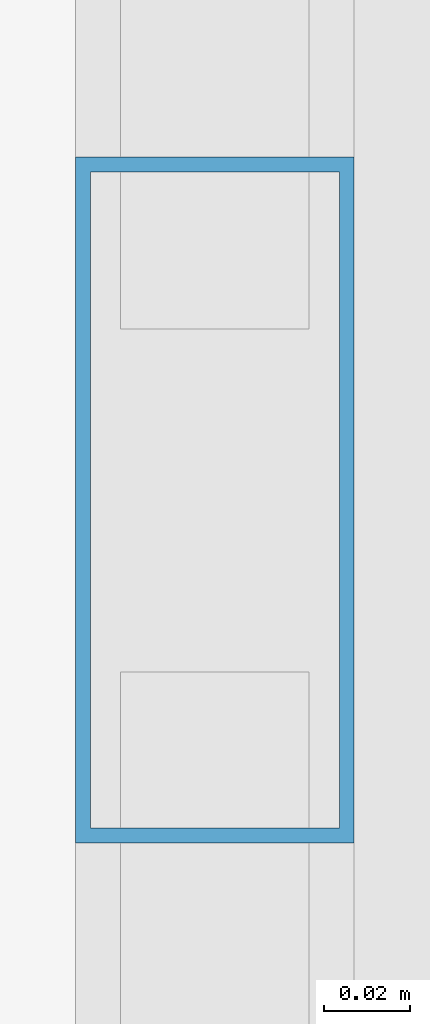
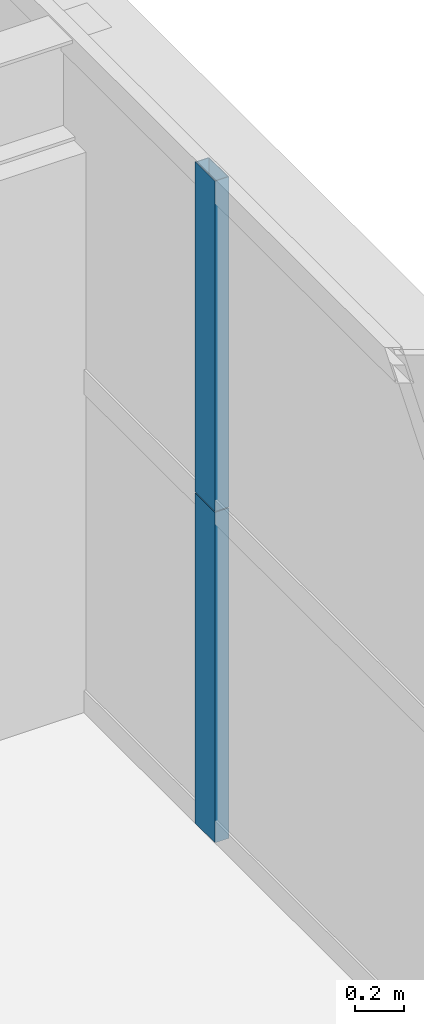
# One storey, part 18 of 38: 2 members, 1 element without a shape of its own.
"""IFC4 building model written with IfcOpenShell, lengths in metres."""

from ifc_helpers import new_model, si_unit, direction, frame, origin, origin_2d, place, context, subcontext, project, spatial, hollow_rectangle, extrude, source, transform, mapped, material, layer, layer_set, material_profile, profile_set, type_object, element, aggregate, save


model = new_model("IFC4")

# Units and contexts
model_context = context("Model", 3, precision=1e-05, world=origin(), true_north=direction((0.0, 1.0)))
body_context = subcontext(model_context, "Body", "Model", "MODEL_VIEW")
ifc_project = project(units=[si_unit("LENGTHUNIT", "METRE"), si_unit("AREAUNIT", "SQUARE_METRE"), si_unit("VOLUMEUNIT", "CUBIC_METRE"), si_unit("PLANEANGLEUNIT", "RADIAN"), si_unit("MASSUNIT", "GRAM", prefix="KILO"), si_unit("THERMODYNAMICTEMPERATUREUNIT", "KELVIN"), si_unit("POWERUNIT", "WATT")], contexts=[model_context])

# Site, building, storey
site_placement = place(None, origin())
site = spatial("IfcSite", under=ifc_project, at=site_placement, CompositionType="ELEMENT")
building_placement = place(site_placement, origin())
building = spatial("IfcBuilding", under=site, at=building_placement, Name="Yuzanri Waterfront Tower", CompositionType="ELEMENT")
storey_placement = place(building_placement, frame((0.0, 0.0, 209.0)))
storey = spatial("IfcBuildingStorey", under=building, at=storey_placement, Name="L55", CompositionType="ELEMENT", Elevation=209.0)

# Curtain wall, members
ifc_material_1 = material(Name="Anodized Architectural Bronze", Category="metal")
ifc_layer = layer(ifc_material_1, 0.159912109375)
ifc_layer_set = layer_set([ifc_layer], Name="Anodized Architectural Bronze")
curtain_wall_type = type_object("IfcCurtainWallType", Name="Anodized Bronze Mid-Rise Residential Acoustic Unitized Curtain Wall 7200", PredefinedType="NOTDEFINED", material=ifc_layer_set)
curtain_wall_placement = place(storey_placement, origin())
curtain_wall = element("IfcCurtainWall", 1, at=curtain_wall_placement, inside=storey, type_object=curtain_wall_type, Name="L55 Curtain Wall CW-L55-EL", PredefinedType="NOTDEFINED")
ifc_material_2 = material(Name="Anodized Architectural Bronze", Category="metal")
ifc_material_profile = material_profile(ifc_material_2, hollow_rectangle(XDim=0.06494140625, YDim=0.159912109375, WallThickness=0.00341796875, at=origin_2d()), Name="CWM 65x160")
ifc_profile_set = profile_set([ifc_material_profile], Name="Anodized Architectural Bronze")
member_type = type_object("IfcMemberType", Name="Anodized Bronze Upper-Zone Curtain-Wall Mullion 65x160", PredefinedType="MULLION", material=ifc_profile_set)
shared_shape = source(origin(), body_context, "Body", "SweptSolid", [
    extrude(hollow_rectangle(XDim=0.06494140625, YDim=0.159912109375, WallThickness=0.00341796875, at=origin_2d()), origin(), (0.0, 0.0, 1.0), 1.637939453125),
])
member_1_placement = place(storey_placement, frame((58.949951171875, 18.22509765625, 0.0), z_axis=(0.0, 0.0, 1.0), x_axis=(1.0, 0.0, 0.0)))
member_1 = element("IfcMember", 2, at=member_1_placement, type_object=member_type, Name="CW-L55-EL Lower Mullion 01", PredefinedType="MULLION", context=body_context, shape_type="MappedRepresentation", body=[
    mapped(shared_shape, transform((0.0, 0.0, 0.0), scale=1.0)),
])
member_2_placement = place(storey_placement, frame((58.949951171875, 18.22509765625, 1.64208984375), z_axis=(0.0, 0.0, 1.0), x_axis=(1.0, 0.0, 0.0)))
member_2 = element("IfcMember", 3, at=member_2_placement, type_object=member_type, Name="CW-L55-EL Upper Mullion 01", PredefinedType="MULLION", context=body_context, shape_type="MappedRepresentation", body=[
    mapped(shared_shape, transform((0.0, 0.0, 0.0), scale=1.0)),
])
aggregate(curtain_wall, [member_1, member_2])

save(model, "model.ifc")
